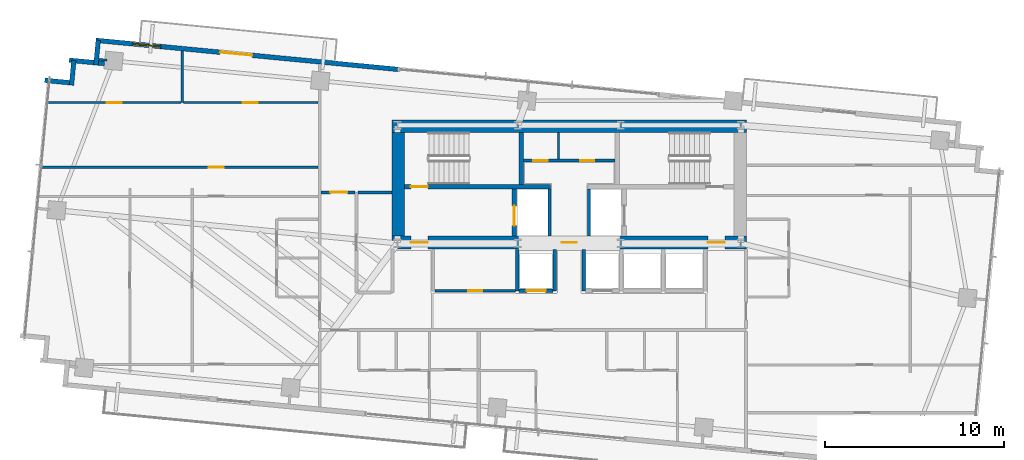
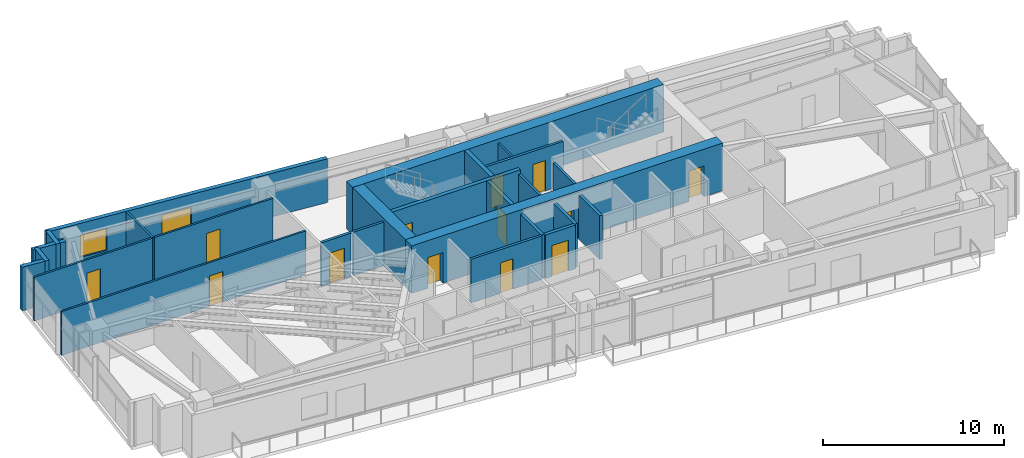
# One storey, part 16 of 20: 27 walls, 14 doors, 1 window, 15 openings.
"""IFC4 building model written with IfcOpenShell, lengths in metres."""

import ifcopenshell
import ifcopenshell.guid

model = None  # the IFC model being written
_history = None  # IfcOwnerHistory: only IFC2X3 demands one
_inside = {}  # id of a spatial element -> (the spatial element, [elements in it])
_under = {}  # id of a project, library or spatial element -> (it, [spatial elements below it])
_declared = {}  # id of a project -> (the project, [libraries it declares])
_typed = {}  # id of a type object -> (the type object, [elements of that type])
_made_of = {}  # id of a material, layer set ... -> (it, [elements and type objects made of it])


def new_model(schema):
    """Start an empty IFC model of exactly this schema.

    Asked for "IFC4X3", IfcOpenShell would pick the latest addendum, in which some entities
    have other attributes; the version numbers below select the first issue.
    IFC2X3 requires an IfcOwnerHistory on every rooted entity: one is made here for all.
    """
    global model, _history
    if schema == "IFC4X3":
        model = ifcopenshell.file(schema_version=(4, 3, 0, 0))
    else:
        model = ifcopenshell.file(schema=schema)
    _inside.clear()
    _under.clear()
    _declared.clear()
    _typed.clear()
    _made_of.clear()
    _history = None
    if model.schema == "IFC2X3":
        org = make("IfcOrganization", Name="unknown")
        user = make(
            "IfcPersonAndOrganization",
            ThePerson=make("IfcPerson", FamilyName="unknown"),
            TheOrganization=org,
        )
        app = make(
            "IfcApplication",
            ApplicationDeveloper=org,
            Version="unknown",
            ApplicationFullName="unknown",
            ApplicationIdentifier="unknown",
        )
        _history = make(
            "IfcOwnerHistory",
            OwningUser=user,
            OwningApplication=app,
            ChangeAction="ADDED",
            CreationDate=0,
        )
    return model


def make(cls, **values):
    """One entity of the class cls with the attributes given. An attribute that is None is left unset."""
    return model.create_entity(
        cls, **{name: value for name, value in values.items() if value is not None}
    )


def rooted(cls, **values):
    """An entity with a GlobalId (a new one), such as an element, a storey or a relation."""
    return make(cls, GlobalId=ifcopenshell.guid.new(), OwnerHistory=_history, **values)


def si_unit(unit_type, name, prefix=None):
    """IfcSIUnit, for example si_unit("LENGTHUNIT", "METRE", prefix="MILLI")."""
    return make("IfcSIUnit", UnitType=unit_type, Prefix=prefix, Name=name)


def assignment(units):
    """IfcUnitAssignment: the units of a project."""
    return None if units is None else make("IfcUnitAssignment", Units=units)


def point(xyz):
    """IfcCartesianPoint."""
    return None if xyz is None else make("IfcCartesianPoint", Coordinates=xyz)


def direction(xyz):
    """IfcDirection."""
    return None if xyz is None else make("IfcDirection", DirectionRatios=xyz)


def frame(location, z_axis=None, x_axis=None):
    """IfcAxis2Placement3D, a coordinate frame: its origin and axes. An axis left out is left unset."""
    return make(
        "IfcAxis2Placement3D",
        Location=point(location),
        Axis=direction(z_axis),
        RefDirection=direction(x_axis),
    )


def frame_2d(location, x_axis=None):
    """IfcAxis2Placement2D, a coordinate frame in the plane: its origin and x axis."""
    return make(
        "IfcAxis2Placement2D", Location=point(location), RefDirection=direction(x_axis)
    )


def origin():
    """The frame at (0, 0, 0) with its axes left unset."""
    return frame((0.0, 0.0, 0.0))


def place(relative_to, where):
    """IfcLocalPlacement: puts the frame where relative to a parent placement (None: the world)."""
    return make(
        "IfcLocalPlacement", PlacementRelTo=relative_to, RelativePlacement=where
    )


def context(
    kind, dimensions, precision=None, world=None, true_north=None, identifier=None
):
    """IfcGeometricRepresentationContext, for example the 3D "Model" context."""
    return make(
        "IfcGeometricRepresentationContext",
        ContextIdentifier=identifier,
        ContextType=kind,
        CoordinateSpaceDimension=dimensions,
        Precision=precision,
        WorldCoordinateSystem=world,
        TrueNorth=true_north,
    )


def subcontext(parent, identifier, kind, view, scale=None):
    """IfcGeometricRepresentationSubContext, for example "Body" below "Model"."""
    return make(
        "IfcGeometricRepresentationSubContext",
        ContextIdentifier=identifier,
        ContextType=kind,
        ParentContext=parent,
        TargetScale=scale,
        TargetView=view,
    )


def project(units=None, contexts=None):
    """IfcProject with its units and contexts."""
    return rooted(
        "IfcProject",
        Name="project",
        RepresentationContexts=contexts,
        UnitsInContext=assignment(units),
    )


def spatial(cls, under=None, at=None, **own):
    """A site, building, storey or space (cls), placed at a placement, below another one or the project."""
    s = rooted(cls, ObjectPlacement=at, **own)
    if under is not None:
        _under.setdefault(under.id(), (under, []))[1].append(s)
    return s


def profile(cls, at=None, kind="AREA", **sizes):
    """A parametric profile (cls). Its sizes go by their IFC names, for example OverallWidth=200.0."""
    return make(cls, ProfileType=kind, Position=at, **sizes)


def rectangle(**sizes):
    """IfcRectangleProfileDef."""
    return profile("IfcRectangleProfileDef", **sizes)


def extrude(swept, where, along, depth):
    """IfcExtrudedAreaSolid: the profile swept, set in the frame where, extruded along a direction by depth."""
    return make(
        "IfcExtrudedAreaSolid",
        SweptArea=swept,
        Position=where,
        ExtrudedDirection=direction(along),
        Depth=depth,
    )


def shape(context_of_items, identifier, shape_type, items):
    """IfcShapeRepresentation: the items that make up one representation, for example the "Body"."""
    return make(
        "IfcShapeRepresentation",
        ContextOfItems=context_of_items,
        RepresentationIdentifier=identifier,
        RepresentationType=shape_type,
        Items=items,
    )


def source(mapping_origin, context_of_items, identifier, shape_type, items):
    """IfcRepresentationMap: a shape defined once, which mapped items show again and again."""
    return make(
        "IfcRepresentationMap",
        MappingOrigin=mapping_origin,
        MappedRepresentation=shape(context_of_items, identifier, shape_type, items),
    )


def transform(
    local_origin,
    x_axis=None,
    y_axis=None,
    z_axis=None,
    scale=None,
    scale2=None,
    scale3=None,
    uniform=True,
):
    """IfcCartesianTransformationOperator3D, or its non-uniform kind. x_axis, y_axis, z_axis: its Axis1, 2, 3."""
    if uniform:
        return make(
            "IfcCartesianTransformationOperator3D",
            Axis1=direction(x_axis),
            Axis2=direction(y_axis),
            LocalOrigin=point(local_origin),
            Scale=scale,
            Axis3=direction(z_axis),
        )
    return make(
        "IfcCartesianTransformationOperator3DnonUniform",
        Axis1=direction(x_axis),
        Axis2=direction(y_axis),
        LocalOrigin=point(local_origin),
        Scale=scale,
        Axis3=direction(z_axis),
        Scale2=scale2,
        Scale3=scale3,
    )


def mapped(mapping_source, mapping_target):
    """IfcMappedItem: shows the shape of a source again, moved by a transform."""
    return make(
        "IfcMappedItem", MappingSource=mapping_source, MappingTarget=mapping_target
    )


def material(Name=None, Category=None):
    """IfcMaterial."""
    return make("IfcMaterial", Name=Name, Category=Category)


def layer(
    of_material, thickness, ventilated=None, Name=None, Category=None, Priority=None
):
    """IfcMaterialLayer: one layer of a wall or slab, of a material (None: an air gap)."""
    return make(
        "IfcMaterialLayer",
        Material=of_material,
        LayerThickness=thickness,
        IsVentilated=ventilated,
        Name=Name,
        Category=Category,
        Priority=Priority,
    )


def layer_set(layers, Name=None):
    """IfcMaterialLayerSet."""
    return make("IfcMaterialLayerSet", MaterialLayers=layers, LayerSetName=Name)


def made_of(thing, what):
    """Note that an element or type object is made of a material, layer set ...; save() writes the relation."""
    if what is not None:
        _made_of.setdefault(what.id(), (what, []))[1].append(thing)
    return thing


def type_object(cls, material=None, **own):
    """A type object (cls), such as IfcWallType, which elements share."""
    return made_of(rooted(cls, **own), material)


def type_shapes(of_type, sources):
    """Give a type object the sources (RepresentationMaps) that its elements show as mapped items."""
    of_type.RepresentationMaps = sources


def element(
    cls,
    number,
    at=None,
    inside=None,
    cuts=None,
    type_object=None,
    material=None,
    context=None,
    identifier="Body",
    shape_type=None,
    held_by="IfcProductDefinitionShape",
    body=None,
    shapes=None,
    **own,
):
    """One element of the class cls, such as IfcWall. Its Tag is "e" and its number.

    at: its placement. inside: the storey or other place that contains it. cuts: it is an
    opening in that element (IfcRelVoidsElement). A single representation is given by context,
    identifier, shape_type and body (its items); several are given by shapes. held_by: the class
    of the entity that holds the representations. save() writes the other relations.
    """
    e = rooted(cls, Tag="e%d" % number, ObjectPlacement=at, **own)
    if body is not None:
        shapes = [shape(context, identifier, shape_type, body)]
    if shapes is not None:
        e.Representation = make(held_by, Representations=shapes)
    if inside is not None:
        _inside.setdefault(inside.id(), (inside, []))[1].append(e)
    if cuts is not None:
        rooted(
            "IfcRelVoidsElement", RelatingBuildingElement=cuts, RelatedOpeningElement=e
        )
    if type_object is not None:
        _typed.setdefault(type_object.id(), (type_object, []))[1].append(e)
    return made_of(e, material)


def fill(opening, filler):
    """IfcRelFillsElement: the door or window that sits in an opening."""
    return rooted(
        "IfcRelFillsElement",
        RelatingOpeningElement=opening,
        RelatedBuildingElement=filler,
    )


def aggregate(whole, parts):
    """IfcRelAggregates: a whole, such as a stair, and the parts it consists of."""
    return rooted("IfcRelAggregates", RelatingObject=whole, RelatedObjects=parts)


def save(model, path):
    """Write the relations noted so far, then the file.

    IfcRelAggregates (storeys below a building ...), IfcRelContainedInSpatialStructure (elements
    in a storey), IfcRelDefinesByType, IfcRelAssociatesMaterial and IfcRelDeclares: one each for
    every whole, place, type object, material and project.
    """
    for whole, parts in _under.values():
        aggregate(whole, parts)
    for where, things in _inside.values():
        rooted(
            "IfcRelContainedInSpatialStructure",
            RelatedElements=things,
            RelatingStructure=where,
        )
    for kind, things in _typed.values():
        rooted("IfcRelDefinesByType", RelatedObjects=things, RelatingType=kind)
    for what, things in _made_of.values():
        rooted("IfcRelAssociatesMaterial", RelatedObjects=things, RelatingMaterial=what)
    for by, libraries in _declared.values():
        rooted("IfcRelDeclares", RelatingContext=by, RelatedDefinitions=libraries)
    model.write(path)


model = new_model("IFC4")

# Units and contexts
model_context = context("Model", 3, precision=1e-05, world=origin(), true_north=direction((0.0, 1.0)))
body_context = subcontext(model_context, "Body", "Model", "MODEL_VIEW")
ifc_project = project(units=[si_unit("LENGTHUNIT", "METRE"), si_unit("AREAUNIT", "SQUARE_METRE"), si_unit("VOLUMEUNIT", "CUBIC_METRE"), si_unit("PLANEANGLEUNIT", "RADIAN"), si_unit("MASSUNIT", "GRAM", prefix="KILO")], contexts=[model_context])

# Site, building, storey
site_placement = place(None, origin())
site = spatial("IfcSite", under=ifc_project, at=site_placement, CompositionType="ELEMENT")
building_placement = place(site_placement, origin())
building = spatial("IfcBuilding", under=site, at=building_placement, Name="Astriad Promenade Condominiums", CompositionType="ELEMENT")
storey_placement = place(building_placement, frame((0.0, 0.0, 127.800048828125)))
storey = spatial("IfcBuildingStorey", under=building, at=storey_placement, Name="L36", CompositionType="ELEMENT", Elevation=127.800048828125)

# Wall, openings, doors
ifc_material_1 = material(Name="Concrete C60/75", Category="concrete")
ifc_layer_1 = layer(ifc_material_1, 0.699951171875)
ifc_layer_set_1 = layer_set([ifc_layer_1], Name="Concrete C60/75")
wall_type_1 = type_object("IfcWallType", Name="CW-SHEAR-700", PredefinedType="SHEAR", material=ifc_layer_set_1)
wall_1_placement = place(storey_placement, frame((26.10009765625, 17.449951171875, 0.0), z_axis=(0.0, 0.0, 1.0), x_axis=(1.0, 0.0, 0.0)))
wall_1 = element("IfcWall", 1, at=wall_1_placement, inside=storey, type_object=wall_type_1, Name="CW-CORE-S-L36", PredefinedType="SHEAR", context=body_context, shape_type="SweptSolid", body=[
    extrude(rectangle(XDim=19.7998046875, YDim=0.699951171875, at=frame_2d((9.89990234375, 0.0))), origin(), (0.0, 0.0, 1.0), 3.199951171875),
])
opening_1_placement = place(wall_1_placement, frame((1.050048828125, 0.0, 0.0)))
opening_1 = element("IfcOpeningElement", 2, at=opening_1_placement, cuts=wall_1, Name="Opening FD90-ST-095", PredefinedType="OPENING", context=body_context, shape_type="SweptSolid", body=[
    extrude(rectangle(XDim=0.949951171875, YDim=2.06005859375, at=frame_2d((0.47509765625, 1.030029296875))), frame((0.0, 0.35986328125, 0.0), z_axis=(0.0, -1.0, 0.0), x_axis=(1.0, 0.0, 0.0)), (0.0, 0.0, 1.0), 0.719970703125),
])
opening_2_placement = place(wall_1_placement, frame((9.47998046875, 0.0, 0.0)))
opening_2 = element("IfcOpeningElement", 3, at=opening_2_placement, cuts=wall_1, Name="Opening FD60-ULOW-085", PredefinedType="OPENING", context=body_context, shape_type="SweptSolid", body=[
    extrude(rectangle(XDim=0.85009765625, YDim=2.0, at=frame_2d((0.425048828125, 1.0))), frame((0.0, 0.35986328125, 0.0), z_axis=(0.0, -1.0, 0.0), x_axis=(1.0, 0.0, 0.0)), (0.0, 0.0, 1.0), 0.719970703125),
])
opening_3_placement = place(wall_1_placement, frame((17.64990234375, 0.0, 0.0)))
opening_3 = element("IfcOpeningElement", 4, at=opening_3_placement, cuts=wall_1, Name="Opening FD90-ST-095", PredefinedType="OPENING", context=body_context, shape_type="SweptSolid", body=[
    extrude(rectangle(XDim=0.949951171875, YDim=2.06005859375, at=frame_2d((0.47509765625, 1.030029296875))), frame((0.0, 0.35986328125, 0.0), z_axis=(0.0, -1.0, 0.0), x_axis=(1.0, 0.0, 0.0)), (0.0, 0.0, 1.0), 0.719970703125),
])
ifc_material_2 = material(Name="Fire-Rated Hollow Metal Stair Door")
door_type_1 = type_object("IfcDoorType", Name="FD90-ST-095", OperationType="NOTDEFINED", PredefinedType="DOOR", material=ifc_material_2)
shared_shape_1 = source(origin(), body_context, "Body", "SweptSolid", [
    extrude(rectangle(XDim=0.949951171875, YDim=2.06005859375, at=frame_2d((0.47509765625, 1.030029296875))), frame((0.0, 0.02490234375, 0.0), z_axis=(0.0, -1.0, 0.0), x_axis=(1.0, 0.0, 0.0)), (0.0, 0.0, 1.0), 0.050048828125),
])
type_shapes(door_type_1, [shared_shape_1])
door_1_placement = place(opening_1_placement, origin())
door_1 = element("IfcDoor", 5, at=door_1_placement, inside=storey, type_object=door_type_1, Name="D-FFW-L36", OperationType="SINGLE_SWING_LEFT", OverallHeight=2.06005859375, OverallWidth=0.949951171875, PredefinedType="DOOR", context=body_context, shape_type="MappedRepresentation", body=[
    mapped(shared_shape_1, transform((0.0, 0.0, 0.0), scale=1.0)),
])
fill(opening_1, door_1)
door_2_placement = place(opening_3_placement, origin())
door_2 = element("IfcDoor", 6, at=door_2_placement, inside=storey, type_object=door_type_1, Name="D-FFE-L36", OperationType="SINGLE_SWING_RIGHT", OverallHeight=2.06005859375, OverallWidth=0.949951171875, PredefinedType="DOOR", context=body_context, shape_type="MappedRepresentation", body=[
    mapped(shared_shape_1, transform((0.0, 0.0, 0.0), scale=1.0)),
])
fill(opening_3, door_2)
ifc_material_3 = material(Name="Solid-Core Low-Headroom Fire Door")
door_type_2 = type_object("IfcDoorType", Name="FD60-ULOW-085", OperationType="NOTDEFINED", PredefinedType="DOOR", material=ifc_material_3)
shared_shape_2 = source(origin(), body_context, "Body", "SweptSolid", [
    extrude(rectangle(XDim=0.85009765625, YDim=2.0, at=frame_2d((0.425048828125, 1.0))), frame((0.0, 0.02490234375, 0.0), z_axis=(0.0, -1.0, 0.0), x_axis=(1.0, 0.0, 0.0)), (0.0, 0.0, 1.0), 0.050048828125),
])
type_shapes(door_type_2, [shared_shape_2])
door_3_placement = place(opening_2_placement, origin())
door_3 = element("IfcDoor", 7, at=door_3_placement, inside=storey, type_object=door_type_2, Name="D-CSL-L36", OperationType="SINGLE_SWING_RIGHT", OverallHeight=2.0, OverallWidth=0.85009765625, PredefinedType="DOOR", context=body_context, shape_type="MappedRepresentation", body=[
    mapped(shared_shape_2, transform((0.0, 0.0, 0.0), scale=1.0)),
])
fill(opening_2, door_3)

# Walls
wall_2_placement = place(storey_placement, frame((26.10009765625, 23.949951171875, 0.0), z_axis=(0.0, 0.0, 1.0), x_axis=(1.0, 0.0, 0.0)))
element("IfcWall", 8, at=wall_2_placement, inside=storey, type_object=wall_type_1, Name="CW-CORE-N-L36", PredefinedType="SHEAR", context=body_context, shape_type="SweptSolid", body=[
    extrude(rectangle(XDim=19.7998046875, YDim=0.699951171875, at=frame_2d((9.89990234375, 0.0))), origin(), (0.0, 0.0, 1.0), 3.199951171875),
])
wall_3_placement = place(storey_placement, frame((26.449951171875, 17.802001953125, 0.0), z_axis=(0.0, 0.0, 1.0), x_axis=(0.0, 1.0, 0.0)))
element("IfcWall", 9, at=wall_3_placement, inside=storey, type_object=wall_type_1, Name="CW-CORE-W-L36", PredefinedType="SHEAR", context=body_context, shape_type="SweptSolid", body=[
    extrude(rectangle(XDim=5.7958984375, YDim=0.699951171875, at=frame_2d((2.89794921875, 0.0))), origin(), (0.0, 0.0, 1.0), 3.199951171875),
])

# Wall, opening, door
ifc_material_4 = material(Name="Concrete C50/60", Category="concrete")
ifc_layer_2 = layer(ifc_material_4, 0.25)
ifc_layer_set_2 = layer_set([ifc_layer_2], Name="Concrete C50/60")
wall_type_2 = type_object("IfcWallType", Name="WALL-CORE-INT-250", PredefinedType="SOLIDWALL", material=ifc_layer_set_2)
wall_4_placement = place(storey_placement, frame((26.802001953125, 20.574951171875, 0.0), z_axis=(0.0, 0.0, 1.0), x_axis=(1.0, 0.0, 0.0)))
wall_4 = element("IfcWall", 10, at=wall_4_placement, inside=storey, type_object=wall_type_2, Name="CW-INT-H1-L36", PredefinedType="SOLIDWALL", context=body_context, shape_type="SweptSolid", body=[
    extrude(rectangle(XDim=8.14794921875, YDim=0.25, at=frame_2d((4.073974609375, 0.0))), origin(), (0.0, 0.0, 1.0), 3.199951171875),
])
opening_4_placement = place(wall_4_placement, frame((0.347900390625, 0.0, 0.0)))
opening_4 = element("IfcOpeningElement", 11, at=opening_4_placement, cuts=wall_4, Name="Opening FD90-ST-095", PredefinedType="OPENING", context=body_context, shape_type="SweptSolid", body=[
    extrude(rectangle(XDim=0.949951171875, YDim=2.06005859375, at=frame_2d((0.47509765625, 1.030029296875))), frame((0.0, 0.135009765625, 0.0), z_axis=(0.0, -1.0, 0.0), x_axis=(1.0, 0.0, 0.0)), (0.0, 0.0, 1.0), 0.27001953125),
])
door_4_placement = place(opening_4_placement, origin())
door_4 = element("IfcDoor", 12, at=door_4_placement, inside=storey, type_object=door_type_1, Name="D-ST1-L36", OperationType="SINGLE_SWING_RIGHT", OverallHeight=2.06005859375, OverallWidth=0.949951171875, PredefinedType="DOOR", context=body_context, shape_type="MappedRepresentation", body=[
    mapped(shared_shape_1, transform((0.0, 0.0, 0.0), scale=1.0)),
])
fill(opening_4, door_4)

# Wall
wall_5_placement = place(storey_placement, frame((33.324951171875, 20.701904296875, 0.0), z_axis=(0.0, 0.0, 1.0), x_axis=(0.0, 1.0, 0.0)))
element("IfcWall", 13, at=wall_5_placement, inside=storey, type_object=wall_type_2, Name="CW-ST1-E-L36", PredefinedType="SOLIDWALL", context=body_context, shape_type="SweptSolid", body=[
    extrude(rectangle(XDim=2.89599609375, YDim=0.25, at=frame_2d((1.447998046875, 0.0))), origin(), (0.0, 0.0, 1.0), 3.199951171875),
])

# Wall, opening, door
wall_6_placement = place(storey_placement, frame((32.925048828125, 17.802001953125, 0.0), z_axis=(0.0, 0.0, 1.0), x_axis=(0.0, 1.0, 0.0)))
wall_6 = element("IfcWall", 14, at=wall_6_placement, inside=storey, type_object=wall_type_2, Name="CW-FFL1-W-L36", PredefinedType="SOLIDWALL", context=body_context, shape_type="SweptSolid", body=[
    extrude(rectangle(XDim=2.64599609375, YDim=0.25, at=frame_2d((1.322998046875, 0.0))), origin(), (0.0, 0.0, 1.0), 3.199951171875),
])
opening_5_placement = place(wall_6_placement, frame((0.597900390625, 0.0, 0.0)))
opening_5 = element("IfcOpeningElement", 15, at=opening_5_placement, cuts=wall_6, Name="Opening LD-FFL-1122", PredefinedType="OPENING", context=body_context, shape_type="SweptSolid", body=[
    extrude(rectangle(XDim=1.10009765625, YDim=2.080078125, at=frame_2d((0.550048828125, 1.0400390625))), frame((0.0, 0.135009765625, 0.0), z_axis=(0.0, -1.0, 0.0), x_axis=(1.0, 0.0, 0.0)), (0.0, 0.0, 1.0), 0.27001953125),
])
ifc_material_5 = material(Name="Brushed Stainless Steel Fire Elevator Landing Door", Category="steel")
door_type_3 = type_object("IfcDoorType", Name="LD-FFL-1122", OperationType="NOTDEFINED", PredefinedType="DOOR", material=ifc_material_5)
shared_shape_3 = source(origin(), body_context, "Body", "SweptSolid", [
    extrude(rectangle(XDim=1.10009765625, YDim=2.080078125, at=frame_2d((0.550048828125, 1.0400390625))), frame((0.0, 0.02490234375, 0.0), z_axis=(0.0, -1.0, 0.0), x_axis=(1.0, 0.0, 0.0)), (0.0, 0.0, 1.0), 0.050048828125),
])
type_shapes(door_type_3, [shared_shape_3])
door_5_placement = place(opening_5_placement, origin())
door_5 = element("IfcDoor", 16, at=door_5_placement, inside=storey, type_object=door_type_3, Name="Elevator Landing Door FFL-1 (L36)", OperationType="SLIDING_TO_LEFT", OverallHeight=2.080078125, OverallWidth=1.10009765625, PredefinedType="DOOR", context=body_context, shape_type="MappedRepresentation", body=[
    mapped(shared_shape_3, transform((0.0, 0.0, 0.0), scale=1.0)),
])
fill(opening_5, door_5)

# Walls
ifc_material_6 = material(Name="Fire-Rated Gypsum Partition")
ifc_layer_3 = layer(ifc_material_6, 0.159912109375)
ifc_layer_set_3 = layer_set([ifc_layer_3], Name="Fire-Rated Gypsum Partition")
wall_type_3 = type_object("IfcWallType", Name="WALL-CORR-160", PredefinedType="PARTITIONING", material=ifc_layer_set_3)
for number, where, z_axis, x_axis, name in (
    (17, (34.89990234375, 17.802001953125, 0.0), (0.0, 0.0, 1.0), (0.0, 1.0, 0.0), "CW-FFL1-E-L36"),
    (18, (37.10009765625, 17.802001953125, 0.0), (0.0, 0.0, 1.0), (0.0, 1.0, 0.0), "CW-FFL2-W-L36"),
):
    element("IfcWall", number, at=place(storey_placement, frame(where, z_axis=z_axis, x_axis=x_axis)), inside=storey, type_object=wall_type_3, Name=name, PredefinedType="PARTITIONING", context=body_context, shape_type="SweptSolid", body=[
        extrude(rectangle(XDim=2.64599609375, YDim=0.159912109375, at=frame_2d((1.322998046875, 0.0))), origin(), (0.0, 0.0, 1.0), 2.93994140625),
    ])

# Wall, openings, doors
wall_7_placement = place(storey_placement, frame((33.451904296875, 22.030029296875, 0.0), z_axis=(0.0, 0.0, 1.0), x_axis=(1.0, 0.0, 0.0)))
wall_7 = element("IfcWall", 19, at=wall_7_placement, inside=storey, type_object=wall_type_3, Name="CW-AUX-N-L36", PredefinedType="PARTITIONING", context=body_context, shape_type="SweptSolid", body=[
    extrude(rectangle(XDim=5.09619140625, YDim=0.159912109375, at=frame_2d((2.548095703125, 0.0))), origin(), (0.0, 0.0, 1.0), 2.93994140625),
])
opening_6_placement = place(wall_7_placement, frame((0.5380859375, 0.0, 0.0)))
opening_6 = element("IfcOpeningElement", 20, at=opening_6_placement, cuts=wall_7, Name="Opening FD60-SV-080", PredefinedType="OPENING", context=body_context, shape_type="SweptSolid", body=[
    extrude(rectangle(XDim=0.800048828125, YDim=2.050048828125, at=frame_2d((0.39990234375, 1.02490234375))), frame((0.0, 0.08984375, 0.0), z_axis=(0.0, -1.0, 0.0), x_axis=(1.0, 0.0, 0.0)), (0.0, 0.0, 1.0), 0.179931640625),
])
opening_7_placement = place(wall_7_placement, frame((3.157958984375, 0.0, 0.0)))
opening_7 = element("IfcOpeningElement", 21, at=opening_7_placement, cuts=wall_7, Name="Opening FD60-SV-080", PredefinedType="OPENING", context=body_context, shape_type="SweptSolid", body=[
    extrude(rectangle(XDim=0.800048828125, YDim=2.050048828125, at=frame_2d((0.39990234375, 1.02490234375))), frame((0.0, 0.08984375, 0.0), z_axis=(0.0, -1.0, 0.0), x_axis=(1.0, 0.0, 0.0)), (0.0, 0.0, 1.0), 0.179931640625),
])
ifc_material_7 = material(Name="Fire-Rated Riser Closet Door")
door_type_4 = type_object("IfcDoorType", Name="FD60-SV-080", OperationType="NOTDEFINED", PredefinedType="DOOR", material=ifc_material_7)
shared_shape_4 = source(origin(), body_context, "Body", "SweptSolid", [
    extrude(rectangle(XDim=0.800048828125, YDim=2.050048828125, at=frame_2d((0.39990234375, 1.02490234375))), frame((0.0, 0.02490234375, 0.0), z_axis=(0.0, -1.0, 0.0), x_axis=(1.0, 0.0, 0.0)), (0.0, 0.0, 1.0), 0.050048828125),
])
type_shapes(door_type_4, [shared_shape_4])
door_6_placement = place(opening_6_placement, origin())
door_6 = element("IfcDoor", 22, at=door_6_placement, inside=storey, type_object=door_type_4, Name="D-AUX1-L36", OperationType="SINGLE_SWING_RIGHT", OverallHeight=2.050048828125, OverallWidth=0.800048828125, PredefinedType="DOOR", context=body_context, shape_type="MappedRepresentation", body=[
    mapped(shared_shape_4, transform((0.0, 0.0, 0.0), scale=1.0)),
])
fill(opening_6, door_6)
door_7_placement = place(opening_7_placement, origin())
door_7 = element("IfcDoor", 23, at=door_7_placement, inside=storey, type_object=door_type_4, Name="D-AUX2-L36", OperationType="SINGLE_SWING_LEFT", OverallHeight=2.050048828125, OverallWidth=0.800048828125, PredefinedType="DOOR", context=body_context, shape_type="MappedRepresentation", body=[
    mapped(shared_shape_4, transform((0.0, 0.0, 0.0), scale=1.0)),
])
fill(opening_7, door_7)

# Wall, opening, door
wall_8_placement = place(storey_placement, frame((28.48193359375, 14.75, 0.0), z_axis=(0.0, 0.0, 1.0), x_axis=(1.0, 0.0, 0.0)))
wall_8 = element("IfcWall", 24, at=wall_8_placement, inside=storey, type_object=wall_type_3, Name="REC-L-S-L36", PredefinedType="PARTITIONING", context=body_context, shape_type="SweptSolid", body=[
    extrude(rectangle(XDim=4.51611328125, YDim=0.159912109375, at=frame_2d((2.258056640625, 0.0))), origin(), (0.0, 0.0, 1.0), 2.93994140625),
])
opening_8_placement = place(wall_8_placement, frame((1.867919921875, 0.0, 0.0)))
opening_8 = element("IfcOpeningElement", 25, at=opening_8_placement, cuts=wall_8, Name="Opening FD60-SV-080", PredefinedType="OPENING", context=body_context, shape_type="SweptSolid", body=[
    extrude(rectangle(XDim=0.800048828125, YDim=2.050048828125, at=frame_2d((0.39990234375, 1.02490234375))), frame((0.0, 0.08984375, 0.0), z_axis=(0.0, -1.0, 0.0), x_axis=(1.0, 0.0, 0.0)), (0.0, 0.0, 1.0), 0.179931640625),
])
door_8_placement = place(opening_8_placement, origin())
door_8 = element("IfcDoor", 26, at=door_8_placement, inside=storey, type_object=door_type_4, Name="D-RECL-L36", OperationType="SINGLE_SWING_RIGHT", OverallHeight=2.050048828125, OverallWidth=0.800048828125, PredefinedType="DOOR", context=body_context, shape_type="MappedRepresentation", body=[
    mapped(shared_shape_4, transform((0.0, 0.0, 0.0), scale=1.0)),
])
fill(opening_8, door_8)

wall_9_placement = place(storey_placement, frame((22.132080078125, 20.25, 0.0), z_axis=(0.0, 0.0, 1.0), x_axis=(1.0, 0.0, 0.0)))
wall_9 = element("IfcWall", 27, at=wall_9_placement, inside=storey, type_object=wall_type_3, Name="PT-HK-N-L36", PredefinedType="PARTITIONING", context=body_context, shape_type="SweptSolid", body=[
    extrude(rectangle(XDim=1.885986328125, YDim=0.159912109375, at=frame_2d((0.94287109375, 0.0))), origin(), (0.0, 0.0, 1.0), 2.93994140625),
])
opening_9_placement = place(wall_9_placement, frame((0.508056640625, 0.0, 0.0)))
opening_9 = element("IfcOpeningElement", 28, at=opening_9_placement, cuts=wall_9, Name="Opening FD60-APT-095", PredefinedType="OPENING", context=body_context, shape_type="SweptSolid", body=[
    extrude(rectangle(XDim=0.949951171875, YDim=2.06005859375, at=frame_2d((0.47509765625, 1.030029296875))), frame((0.0, 0.08984375, 0.0), z_axis=(0.0, -1.0, 0.0), x_axis=(1.0, 0.0, 0.0)), (0.0, 0.0, 1.0), 0.179931640625),
])
ifc_material_8 = material(Name="Solid-Core Acoustic Timber Residence Entry Door", Category="wood")
door_type_5 = type_object("IfcDoorType", Name="FD60-APT-095", OperationType="NOTDEFINED", PredefinedType="DOOR", material=ifc_material_8)
shared_shape_5 = source(origin(), body_context, "Body", "SweptSolid", [
    extrude(rectangle(XDim=0.949951171875, YDim=2.06005859375, at=frame_2d((0.47509765625, 1.030029296875))), frame((0.0, 0.02490234375, 0.0), z_axis=(0.0, -1.0, 0.0), x_axis=(1.0, 0.0, 0.0)), (0.0, 0.0, 1.0), 0.050048828125),
])
type_shapes(door_type_5, [shared_shape_5])
door_9_placement = place(opening_9_placement, origin())
door_9 = element("IfcDoor", 29, at=door_9_placement, inside=storey, type_object=door_type_5, Name="D-HKB-L36", OperationType="SINGLE_SWING_RIGHT", OverallHeight=2.06005859375, OverallWidth=0.949951171875, PredefinedType="DOOR", context=body_context, shape_type="MappedRepresentation", body=[
    mapped(shared_shape_5, transform((0.0, 0.0, 0.0), scale=1.0)),
])
fill(opening_9, door_9)

# Walls
wall_10_placement = place(storey_placement, frame((24.181884765625, 20.25, 0.0), z_axis=(0.0, 0.0, 1.0), x_axis=(1.0, 0.0, 0.0)))
element("IfcWall", 30, at=wall_10_placement, inside=storey, type_object=wall_type_3, Name="PT-HK-N-L36-S2", PredefinedType="PARTITIONING", context=body_context, shape_type="SweptSolid", body=[
    extrude(rectangle(XDim=1.916015625, YDim=0.159912109375, at=frame_2d((0.9580078125, 0.0))), origin(), (0.0, 0.0, 1.0), 2.93994140625),
])
ifc_material_9 = material(Name="Precast concrete C50/60", Category="concrete")
ifc_layer_4 = layer(ifc_material_9, 0.260009765625)
ifc_layer_set_4 = layer_set([ifc_layer_4], Name="Precast concrete C50/60")
wall_type_4 = type_object("IfcWallType", Name="WALL-EXT-TWR-260", PredefinedType="STANDARD", material=ifc_layer_set_4)
wall_11_placement = place(storey_placement, frame((6.68115234375, 26.518310546875, 0.0), z_axis=(0.0, 0.0, 1.0), x_axis=(0.995389446633, -0.095915846097, 0.0)))
element("IfcWall", 31, at=wall_11_placement, inside=storey, type_object=wall_type_4, Name="W-SER-L36-04", PredefinedType="STANDARD", context=body_context, shape_type="SweptSolid", body=[
    extrude(rectangle(XDim=1.394775390625, YDim=0.260009765625, at=frame_2d((0.697265625, 0.0))), origin(), (0.0, 0.0, 1.0), 2.93994140625),
])
wall_12_placement = place(storey_placement, frame((8.171875, 26.243896484375, 0.0), z_axis=(0.0, 0.0, 1.0), x_axis=(0.095725744959, 0.99540774648, 0.0)))
element("IfcWall", 32, at=wall_12_placement, inside=storey, type_object=wall_type_4, Name="W-SER-L36-05", PredefinedType="STANDARD", context=body_context, shape_type="SweptSolid", body=[
    extrude(rectangle(XDim=1.39501953125, YDim=0.260009765625, at=frame_2d((0.697509765625, 0.0))), origin(), (0.0, 0.0, 1.0), 2.93994140625),
])
wall_13_placement = place(storey_placement, frame((8.045166015625, 27.642578125, 0.0), z_axis=(0.0, 0.0, 1.0), x_axis=(0.995391147587, -0.095898192396, 0.0)))
element("IfcWall", 33, at=wall_13_placement, inside=storey, type_object=wall_type_4, Name="W-SER-L36-06", PredefinedType="STANDARD", context=body_context, shape_type="SweptSolid", body=[
    extrude(rectangle(XDim=1.97802734375, YDim=0.260009765625, at=frame_2d((0.989013671875, 0.0))), origin(), (0.0, 0.0, 1.0), 2.93994140625),
])
wall_14_placement = place(storey_placement, frame((9.535888671875, 27.368408203125, 0.0), z_axis=(0.0, 0.0, 1.0), x_axis=(0.095915846097, 0.995389446633, 0.0)))
element("IfcWall", 34, at=wall_14_placement, inside=storey, type_object=wall_type_4, Name="W-SER-L36-07", PredefinedType="STANDARD", context=body_context, shape_type="SweptSolid", body=[
    extrude(rectangle(XDim=1.394775390625, YDim=0.260009765625, at=frame_2d((0.697265625, 0.0))), origin(), (0.0, 0.0, 1.0), 2.93994140625),
])

# Wall, openings, door, window
wall_15_placement = place(storey_placement, frame((9.538818359375, 28.75439453125, 0.0), z_axis=(0.0, 0.0, 1.0), x_axis=(0.995397345886, -0.09583383433, 0.0)))
wall_15 = element("IfcWall", 35, at=wall_15_placement, inside=storey, type_object=wall_type_4, Name="W-EXT-L36-N1", PredefinedType="STANDARD", context=body_context, shape_type="SweptSolid", body=[
    extrude(rectangle(XDim=17.010009765625, YDim=0.260009765625, at=frame_2d((8.5048828125, 0.0))), origin(), (0.0, 0.0, 1.0), 2.93994140625),
])
opening_10_placement = place(wall_15_placement, frame((6.97412109375, 0.0, 0.0)))
opening_10 = element("IfcOpeningElement", 36, at=opening_10_placement, cuts=wall_15, Name="Opening BD-1822-SLD", PredefinedType="OPENING", context=body_context, shape_type="SweptSolid", body=[
    extrude(rectangle(XDim=1.800048828125, YDim=2.06005859375, at=frame_2d((0.89990234375, 1.030029296875))), frame((0.0, 0.139892578125, 0.0), z_axis=(0.0, -1.0, 0.0), x_axis=(1.0, 0.0, 0.0)), (0.0, 0.0, 1.0), 0.280029296875),
])
opening_11_placement = place(wall_15_placement, frame((2.050048828125, 0.0, 0.64990234375)))
opening_11 = element("IfcOpeningElement", 37, at=opening_11_placement, cuts=wall_15, Name="Opening WIN-TWR-1620", PredefinedType="OPENING", context=body_context, shape_type="SweptSolid", body=[
    extrude(rectangle(XDim=1.60009765625, YDim=1.5, at=frame_2d((0.800048828125, 0.75))), frame((0.0, 0.139892578125, 0.0), z_axis=(0.0, -1.0, 0.0), x_axis=(1.0, 0.0, 0.0)), (0.0, 0.0, 1.0), 0.280029296875),
])
ifc_material_10 = material(Name="Thermally Broken Aluminium Sliding Balcony Door", Category="aluminium")
door_type_6 = type_object("IfcDoorType", Name="BD-1822-SLD", OperationType="NOTDEFINED", PredefinedType="DOOR", material=ifc_material_10)
shared_shape_6 = source(origin(), body_context, "Body", "SweptSolid", [
    extrude(rectangle(XDim=1.800048828125, YDim=2.06005859375, at=frame_2d((0.89990234375, 1.030029296875))), frame((0.0, 0.02490234375, 0.0), z_axis=(0.0, -1.0, 0.0), x_axis=(1.0, 0.0, 0.0)), (0.0, 0.0, 1.0), 0.050048828125),
])
type_shapes(door_type_6, [shared_shape_6])
door_10_placement = place(opening_10_placement, origin())
door_10 = element("IfcDoor", 38, at=door_10_placement, inside=storey, type_object=door_type_6, Name="BD-L36-NW", OperationType="SLIDING_TO_LEFT", OverallHeight=2.06005859375, OverallWidth=1.800048828125, PredefinedType="DOOR", context=body_context, shape_type="MappedRepresentation", body=[
    mapped(shared_shape_6, transform((0.0, 0.0, 0.0), scale=1.0)),
])
fill(opening_10, door_10)
ifc_material_11 = material(Name="Dark Tinted Triple-Glazed Aluminium Window", Category="aluminium")
window_type = type_object("IfcWindowType", Name="WIN-TWR-1620", PartitioningType="SINGLE_PANEL", PredefinedType="WINDOW", material=ifc_material_11)
shared_shape_7 = source(origin(), body_context, "Body", "SweptSolid", [
    extrude(rectangle(XDim=1.60009765625, YDim=1.5, at=frame_2d((0.800048828125, 0.75))), frame((0.0, 0.030029296875, 0.0), z_axis=(0.0, -1.0, 0.0), x_axis=(1.0, 0.0, 0.0)), (0.0, 0.0, 1.0), 0.06005859375),
])
type_shapes(window_type, [shared_shape_7])
window_placement = place(opening_11_placement, origin())
window = element("IfcWindow", 39, at=window_placement, inside=storey, type_object=window_type, Name="WIN-L36-NW", OverallHeight=1.5, OverallWidth=1.60009765625, PartitioningType="SINGLE_PANEL", PredefinedType="WINDOW", context=body_context, shape_type="MappedRepresentation", body=[
    mapped(shared_shape_7, transform((0.0, 0.0, 0.0), scale=1.0)),
])
fill(opening_11, window)

# Walls
ifc_material_12 = material(Name="Acoustic Metal-Stud Gypsum Partition")
ifc_layer_5 = layer(ifc_material_12, 0.1201171875)
ifc_layer_set_5 = layer_set([ifc_layer_5], Name="Acoustic Metal-Stud Gypsum Partition")
wall_type_5 = type_object("IfcWallType", Name="WALL-PART-120", PredefinedType="PARTITIONING", material=ifc_layer_set_5)
wall_16_placement = place(storey_placement, frame((35.39990234375, 22.112060546875, 0.0), z_axis=(0.0, 0.0, 1.0), x_axis=(0.0, 1.0, 0.0)))
element("IfcWall", 40, at=wall_16_placement, inside=storey, type_object=wall_type_5, Name="CW-AUX-V1-L36", PredefinedType="PARTITIONING", context=body_context, shape_type="SweptSolid", body=[
    extrude(rectangle(XDim=1.48583984375, YDim=0.1201171875, at=frame_2d((0.742919921875, 0.0))), origin(), (0.0, 0.0, 1.0), 2.93994140625),
])
wall_17_placement = place(storey_placement, frame((14.364013671875, 25.26806640625, 0.0), z_axis=(0.0, 0.0, 1.0), x_axis=(0.0, 1.0, 0.0)))
element("IfcWall", 41, at=wall_17_placement, inside=storey, type_object=wall_type_5, Name="PT-L36-W1-B1M", PredefinedType="PARTITIONING", context=body_context, shape_type="SweptSolid", body=[
    extrude(rectangle(XDim=2.88916015625, YDim=0.1201171875, at=frame_2d((1.444580078125, 0.0))), origin(), (0.0, 0.0, 1.0), 2.93994140625),
])

# Wall, opening, door
wall_18_placement = place(storey_placement, frame((6.771728515625, 25.26806640625, 0.0), z_axis=(0.0, 0.0, 1.0), x_axis=(1.0, 0.0, 0.0)))
wall_18 = element("IfcWall", 42, at=wall_18_placement, inside=storey, type_object=wall_type_5, Name="PT-L36-W1-B1", PredefinedType="PARTITIONING", context=body_context, shape_type="SweptSolid", body=[
    extrude(rectangle(XDim=7.5302734375, YDim=0.1201171875, at=frame_2d((3.76513671875, 0.0))), origin(), (0.0, 0.0, 1.0), 2.93994140625),
])
opening_12_placement = place(wall_18_placement, frame((3.3642578125, 0.0, 0.0)))
opening_12 = element("IfcOpeningElement", 43, at=opening_12_placement, cuts=wall_18, Name="Opening D-INT-085", PredefinedType="OPENING", context=body_context, shape_type="SweptSolid", body=[
    extrude(rectangle(XDim=0.85009765625, YDim=2.050048828125, at=frame_2d((0.425048828125, 1.02490234375))), frame((0.0, 0.070068359375, 0.0), z_axis=(0.0, -1.0, 0.0), x_axis=(1.0, 0.0, 0.0)), (0.0, 0.0, 1.0), 0.14013671875),
])
ifc_material_13 = material(Name="Painted Solid-Core Timber Room Door", Category="wood")
door_type_7 = type_object("IfcDoorType", Name="D-INT-085", OperationType="NOTDEFINED", PredefinedType="DOOR", material=ifc_material_13)
shared_shape_8 = source(origin(), body_context, "Body", "SweptSolid", [
    extrude(rectangle(XDim=0.85009765625, YDim=2.050048828125, at=frame_2d((0.425048828125, 1.02490234375))), frame((0.0, 0.02490234375, 0.0), z_axis=(0.0, -1.0, 0.0), x_axis=(1.0, 0.0, 0.0)), (0.0, 0.0, 1.0), 0.050048828125),
])
type_shapes(door_type_7, [shared_shape_8])
door_11_placement = place(opening_12_placement, origin())
door_11 = element("IfcDoor", 44, at=door_11_placement, inside=storey, type_object=door_type_7, Name="D-BD1-L36-W1", OperationType="SINGLE_SWING_RIGHT", OverallHeight=2.050048828125, OverallWidth=0.85009765625, PredefinedType="DOOR", context=body_context, shape_type="MappedRepresentation", body=[
    mapped(shared_shape_8, transform((0.0, 0.0, 0.0), scale=1.0)),
])
fill(opening_12, door_11)

wall_19_placement = place(storey_placement, frame((14.426025390625, 25.26806640625, 0.0), z_axis=(0.0, 0.0, 1.0), x_axis=(1.0, 0.0, 0.0)))
wall_19 = element("IfcWall", 45, at=wall_19_placement, inside=storey, type_object=wall_type_5, Name="PT-L36-W1-B1-S2", PredefinedType="PARTITIONING", context=body_context, shape_type="SweptSolid", body=[
    extrude(rectangle(XDim=7.5419921875, YDim=0.1201171875, at=frame_2d((3.77099609375, 0.0))), origin(), (0.0, 0.0, 1.0), 2.93994140625),
])
opening_13_placement = place(wall_19_placement, frame((3.31591796875, 0.0, 0.0)))
opening_13 = element("IfcOpeningElement", 46, at=opening_13_placement, cuts=wall_19, Name="Opening D-INT-085", PredefinedType="OPENING", context=body_context, shape_type="SweptSolid", body=[
    extrude(rectangle(XDim=0.85009765625, YDim=2.050048828125, at=frame_2d((0.425048828125, 1.02490234375))), frame((0.0, 0.070068359375, 0.0), z_axis=(0.0, -1.0, 0.0), x_axis=(1.0, 0.0, 0.0)), (0.0, 0.0, 1.0), 0.14013671875),
])
door_12_placement = place(opening_13_placement, origin())
door_12 = element("IfcDoor", 47, at=door_12_placement, inside=storey, type_object=door_type_7, Name="D-BD1B-L36-W1", OperationType="SINGLE_SWING_LEFT", OverallHeight=2.050048828125, OverallWidth=0.85009765625, PredefinedType="DOOR", context=body_context, shape_type="MappedRepresentation", body=[
    mapped(shared_shape_8, transform((0.0, 0.0, 0.0), scale=1.0)),
])
fill(opening_13, door_12)

wall_20_placement = place(storey_placement, frame((6.424072265625, 21.656005859375, 0.0), z_axis=(0.0, 0.0, 1.0), x_axis=(1.0, 0.0, 0.0)))
wall_20 = element("IfcWall", 48, at=wall_20_placement, inside=storey, type_object=wall_type_5, Name="PT-L36-W1-WDN1", PredefinedType="PARTITIONING", context=body_context, shape_type="SweptSolid", body=[
    extrude(rectangle(XDim=15.5439453125, YDim=0.1201171875, at=frame_2d((7.77197265625, 0.0))), origin(), (0.0, 0.0, 1.0), 2.93994140625),
])
opening_14_placement = place(wall_20_placement, frame((9.422119140625, 0.0, 0.0)))
opening_14 = element("IfcOpeningElement", 49, at=opening_14_placement, cuts=wall_20, Name="Opening D-INT-085", PredefinedType="OPENING", context=body_context, shape_type="SweptSolid", body=[
    extrude(rectangle(XDim=0.85009765625, YDim=2.050048828125, at=frame_2d((0.425048828125, 1.02490234375))), frame((0.0, 0.070068359375, 0.0), z_axis=(0.0, -1.0, 0.0), x_axis=(1.0, 0.0, 0.0)), (0.0, 0.0, 1.0), 0.14013671875),
])
door_13_placement = place(opening_14_placement, origin())
door_13 = element("IfcDoor", 50, at=door_13_placement, inside=storey, type_object=door_type_7, Name="D-WDN1-L36-W1", OperationType="SINGLE_SWING_RIGHT", OverallHeight=2.050048828125, OverallWidth=0.85009765625, PredefinedType="DOOR", context=body_context, shape_type="MappedRepresentation", body=[
    mapped(shared_shape_8, transform((0.0, 0.0, 0.0), scale=1.0)),
])
fill(opening_14, door_13)

# Walls
wall_21_placement = place(storey_placement, frame((10.15478515625, 27.640380859375, 0.0), z_axis=(0.0, 0.0, 1.0), x_axis=(-0.995435366701, 0.095438098896, 0.0)))
element("IfcWall", 51, at=wall_21_placement, inside=storey, type_object=wall_type_5, Name="PT-PIL-L36-PC06-13", PredefinedType="PARTITIONING", context=body_context, shape_type="SweptSolid", body=[
    extrude(rectangle(XDim=0.4580078125, YDim=0.1201171875, at=frame_2d((0.22900390625, 0.0))), origin(), (0.0, 0.0, 1.0), 2.93994140625),
])
ifc_material_14 = material(Name="Gypsum Shaftliner Assembly")
ifc_layer_6 = layer(ifc_material_14, 0.199951171875)
ifc_layer_set_6 = layer_set([ifc_layer_6], Name="Gypsum Shaftliner Assembly")
wall_type_6 = type_object("IfcWallType", Name="WALL-SHAFT-200", PredefinedType="PARTITIONING", material=ifc_layer_set_6)
for number, where, z_axis, x_axis, name in (
    (52, (33.10009765625, 14.75, 0.0), (0.0, 0.0, 1.0), (0.0, 1.0, 0.0), "REC-L-E-L36"),
    (53, (35.199951171875, 14.75, 0.0), (0.0, 0.0, 1.0), (0.0, 1.0, 0.0), "PL-M1-E-L36"),
):
    element("IfcWall", number, at=place(storey_placement, frame(where, z_axis=z_axis, x_axis=x_axis)), inside=storey, type_object=wall_type_6, Name=name, PredefinedType="PARTITIONING", context=body_context, shape_type="SweptSolid", body=[
        extrude(rectangle(XDim=2.300048828125, YDim=0.199951171875, at=frame_2d((1.14990234375, 0.0))), origin(), (0.0, 0.0, 1.0), 2.93994140625),
    ])

# Wall, opening, door
wall_22_placement = place(storey_placement, frame((33.201904296875, 14.75, 0.0), z_axis=(0.0, 0.0, 1.0), x_axis=(1.0, 0.0, 0.0)))
wall_22 = element("IfcWall", 54, at=wall_22_placement, inside=storey, type_object=wall_type_6, Name="PL-M1-F-L36", PredefinedType="PARTITIONING", context=body_context, shape_type="SweptSolid", body=[
    extrude(rectangle(XDim=1.89599609375, YDim=0.199951171875, at=frame_2d((0.947998046875, 0.0))), origin(), (0.0, 0.0, 1.0), 2.93994140625),
])
opening_15_placement = place(wall_22_placement, frame((0.423095703125, 0.0, 0.0)))
opening_15 = element("IfcOpeningElement", 55, at=opening_15_placement, cuts=wall_22, Name="Opening LD-PL-10522", PredefinedType="OPENING", context=body_context, shape_type="SweptSolid", body=[
    extrude(rectangle(XDim=1.050048828125, YDim=2.080078125, at=frame_2d((0.52490234375, 1.0400390625))), frame((0.0, 0.10986328125, 0.0), z_axis=(0.0, -1.0, 0.0), x_axis=(1.0, 0.0, 0.0)), (0.0, 0.0, 1.0), 0.219970703125),
])
ifc_material_15 = material(Name="Brushed Bronze Passenger Elevator Landing Door")
door_type_8 = type_object("IfcDoorType", Name="LD-PL-10522", OperationType="NOTDEFINED", PredefinedType="DOOR", material=ifc_material_15)
shared_shape_9 = source(origin(), body_context, "Body", "SweptSolid", [
    extrude(rectangle(XDim=1.050048828125, YDim=2.080078125, at=frame_2d((0.52490234375, 1.0400390625))), frame((0.0, 0.02490234375, 0.0), z_axis=(0.0, -1.0, 0.0), x_axis=(1.0, 0.0, 0.0)), (0.0, 0.0, 1.0), 0.050048828125),
])
type_shapes(door_type_8, [shared_shape_9])
door_14_placement = place(opening_15_placement, origin())
door_14 = element("IfcDoor", 56, at=door_14_placement, inside=storey, type_object=door_type_8, Name="Elevator Landing Door PL-M1 (L36)", OperationType="SLIDING_TO_LEFT", OverallHeight=2.080078125, OverallWidth=1.050048828125, PredefinedType="DOOR", context=body_context, shape_type="MappedRepresentation", body=[
    mapped(shared_shape_9, transform((0.0, 0.0, 0.0), scale=1.0)),
])
fill(opening_15, door_14)

# Wall
wall_23_placement = place(storey_placement, frame((36.800048828125, 14.75, 0.0), z_axis=(0.0, 0.0, 1.0), x_axis=(0.0, 1.0, 0.0)))
element("IfcWall", 57, at=wall_23_placement, inside=storey, type_object=wall_type_6, Name="PL-M2-W-L36", PredefinedType="PARTITIONING", context=body_context, shape_type="SweptSolid", body=[
    extrude(rectangle(XDim=2.300048828125, YDim=0.199951171875, at=frame_2d((1.14990234375, 0.0))), origin(), (0.0, 0.0, 1.0), 2.93994140625),
])

save(model, "model.ifc")
